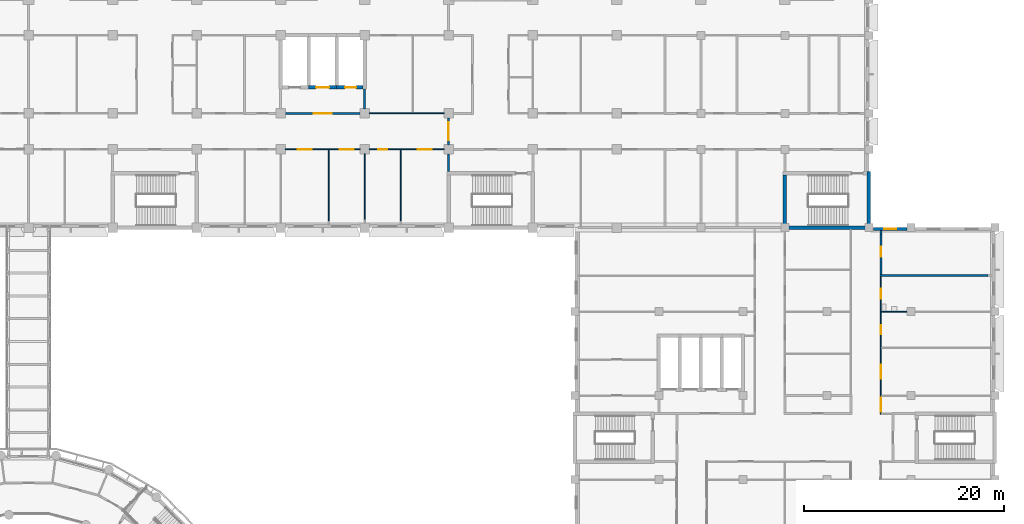
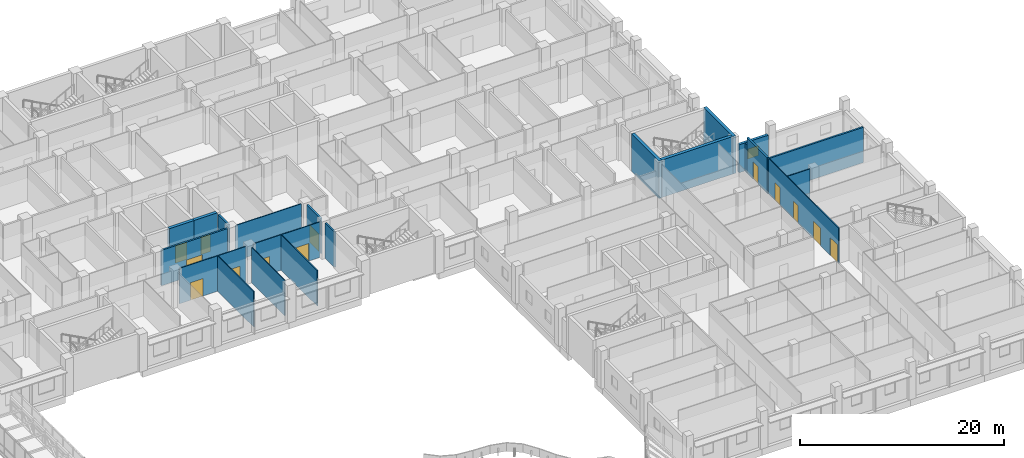
# One storey, part 85 of 136: 21 walls, 13 doors, 1 window, 14 openings.
"""IFC4 building model written with IfcOpenShell, lengths in metres."""

import ifcopenshell
import ifcopenshell.guid

model = None  # the IFC model being written
_history = None  # IfcOwnerHistory: only IFC2X3 demands one
_inside = {}  # id of a spatial element -> (the spatial element, [elements in it])
_under = {}  # id of a project, library or spatial element -> (it, [spatial elements below it])
_declared = {}  # id of a project -> (the project, [libraries it declares])
_typed = {}  # id of a type object -> (the type object, [elements of that type])
_made_of = {}  # id of a material, layer set ... -> (it, [elements and type objects made of it])


def new_model(schema):
    """Start an empty IFC model of exactly this schema.

    Asked for "IFC4X3", IfcOpenShell would pick the latest addendum, in which some entities
    have other attributes; the version numbers below select the first issue.
    IFC2X3 requires an IfcOwnerHistory on every rooted entity: one is made here for all.
    """
    global model, _history
    if schema == "IFC4X3":
        model = ifcopenshell.file(schema_version=(4, 3, 0, 0))
    else:
        model = ifcopenshell.file(schema=schema)
    _inside.clear()
    _under.clear()
    _declared.clear()
    _typed.clear()
    _made_of.clear()
    _history = None
    if model.schema == "IFC2X3":
        org = make("IfcOrganization", Name="unknown")
        user = make(
            "IfcPersonAndOrganization",
            ThePerson=make("IfcPerson", FamilyName="unknown"),
            TheOrganization=org,
        )
        app = make(
            "IfcApplication",
            ApplicationDeveloper=org,
            Version="unknown",
            ApplicationFullName="unknown",
            ApplicationIdentifier="unknown",
        )
        _history = make(
            "IfcOwnerHistory",
            OwningUser=user,
            OwningApplication=app,
            ChangeAction="ADDED",
            CreationDate=0,
        )
    return model


def make(cls, **values):
    """One entity of the class cls with the attributes given. An attribute that is None is left unset."""
    return model.create_entity(
        cls, **{name: value for name, value in values.items() if value is not None}
    )


def rooted(cls, **values):
    """An entity with a GlobalId (a new one), such as an element, a storey or a relation."""
    return make(cls, GlobalId=ifcopenshell.guid.new(), OwnerHistory=_history, **values)


def si_unit(unit_type, name, prefix=None):
    """IfcSIUnit, for example si_unit("LENGTHUNIT", "METRE", prefix="MILLI")."""
    return make("IfcSIUnit", UnitType=unit_type, Prefix=prefix, Name=name)


def assignment(units):
    """IfcUnitAssignment: the units of a project."""
    return None if units is None else make("IfcUnitAssignment", Units=units)


def point(xyz):
    """IfcCartesianPoint."""
    return None if xyz is None else make("IfcCartesianPoint", Coordinates=xyz)


def direction(xyz):
    """IfcDirection."""
    return None if xyz is None else make("IfcDirection", DirectionRatios=xyz)


def frame(location, z_axis=None, x_axis=None):
    """IfcAxis2Placement3D, a coordinate frame: its origin and axes. An axis left out is left unset."""
    return make(
        "IfcAxis2Placement3D",
        Location=point(location),
        Axis=direction(z_axis),
        RefDirection=direction(x_axis),
    )


def frame_2d(location, x_axis=None):
    """IfcAxis2Placement2D, a coordinate frame in the plane: its origin and x axis."""
    return make(
        "IfcAxis2Placement2D", Location=point(location), RefDirection=direction(x_axis)
    )


def origin():
    """The frame at (0, 0, 0) with its axes left unset."""
    return frame((0.0, 0.0, 0.0))


def place(relative_to, where):
    """IfcLocalPlacement: puts the frame where relative to a parent placement (None: the world)."""
    return make(
        "IfcLocalPlacement", PlacementRelTo=relative_to, RelativePlacement=where
    )


def context(
    kind, dimensions, precision=None, world=None, true_north=None, identifier=None
):
    """IfcGeometricRepresentationContext, for example the 3D "Model" context."""
    return make(
        "IfcGeometricRepresentationContext",
        ContextIdentifier=identifier,
        ContextType=kind,
        CoordinateSpaceDimension=dimensions,
        Precision=precision,
        WorldCoordinateSystem=world,
        TrueNorth=true_north,
    )


def subcontext(parent, identifier, kind, view, scale=None):
    """IfcGeometricRepresentationSubContext, for example "Body" below "Model"."""
    return make(
        "IfcGeometricRepresentationSubContext",
        ContextIdentifier=identifier,
        ContextType=kind,
        ParentContext=parent,
        TargetScale=scale,
        TargetView=view,
    )


def project(units=None, contexts=None):
    """IfcProject with its units and contexts."""
    return rooted(
        "IfcProject",
        Name="project",
        RepresentationContexts=contexts,
        UnitsInContext=assignment(units),
    )


def spatial(cls, under=None, at=None, **own):
    """A site, building, storey or space (cls), placed at a placement, below another one or the project."""
    s = rooted(cls, ObjectPlacement=at, **own)
    if under is not None:
        _under.setdefault(under.id(), (under, []))[1].append(s)
    return s


def profile(cls, at=None, kind="AREA", **sizes):
    """A parametric profile (cls). Its sizes go by their IFC names, for example OverallWidth=200.0."""
    return make(cls, ProfileType=kind, Position=at, **sizes)


def rectangle(**sizes):
    """IfcRectangleProfileDef."""
    return profile("IfcRectangleProfileDef", **sizes)


def extrude(swept, where, along, depth):
    """IfcExtrudedAreaSolid: the profile swept, set in the frame where, extruded along a direction by depth."""
    return make(
        "IfcExtrudedAreaSolid",
        SweptArea=swept,
        Position=where,
        ExtrudedDirection=direction(along),
        Depth=depth,
    )


def shape(context_of_items, identifier, shape_type, items):
    """IfcShapeRepresentation: the items that make up one representation, for example the "Body"."""
    return make(
        "IfcShapeRepresentation",
        ContextOfItems=context_of_items,
        RepresentationIdentifier=identifier,
        RepresentationType=shape_type,
        Items=items,
    )


def material(Name=None, Category=None):
    """IfcMaterial."""
    return make("IfcMaterial", Name=Name, Category=Category)


def layer(
    of_material, thickness, ventilated=None, Name=None, Category=None, Priority=None
):
    """IfcMaterialLayer: one layer of a wall or slab, of a material (None: an air gap)."""
    return make(
        "IfcMaterialLayer",
        Material=of_material,
        LayerThickness=thickness,
        IsVentilated=ventilated,
        Name=Name,
        Category=Category,
        Priority=Priority,
    )


def layer_set(layers, Name=None):
    """IfcMaterialLayerSet."""
    return make("IfcMaterialLayerSet", MaterialLayers=layers, LayerSetName=Name)


def made_of(thing, what):
    """Note that an element or type object is made of a material, layer set ...; save() writes the relation."""
    if what is not None:
        _made_of.setdefault(what.id(), (what, []))[1].append(thing)
    return thing


def type_object(cls, material=None, **own):
    """A type object (cls), such as IfcWallType, which elements share."""
    return made_of(rooted(cls, **own), material)


def element(
    cls,
    number,
    at=None,
    inside=None,
    cuts=None,
    type_object=None,
    material=None,
    context=None,
    identifier="Body",
    shape_type=None,
    held_by="IfcProductDefinitionShape",
    body=None,
    shapes=None,
    **own,
):
    """One element of the class cls, such as IfcWall. Its Tag is "e" and its number.

    at: its placement. inside: the storey or other place that contains it. cuts: it is an
    opening in that element (IfcRelVoidsElement). A single representation is given by context,
    identifier, shape_type and body (its items); several are given by shapes. held_by: the class
    of the entity that holds the representations. save() writes the other relations.
    """
    e = rooted(cls, Tag="e%d" % number, ObjectPlacement=at, **own)
    if body is not None:
        shapes = [shape(context, identifier, shape_type, body)]
    if shapes is not None:
        e.Representation = make(held_by, Representations=shapes)
    if inside is not None:
        _inside.setdefault(inside.id(), (inside, []))[1].append(e)
    if cuts is not None:
        rooted(
            "IfcRelVoidsElement", RelatingBuildingElement=cuts, RelatedOpeningElement=e
        )
    if type_object is not None:
        _typed.setdefault(type_object.id(), (type_object, []))[1].append(e)
    return made_of(e, material)


def fill(opening, filler):
    """IfcRelFillsElement: the door or window that sits in an opening."""
    return rooted(
        "IfcRelFillsElement",
        RelatingOpeningElement=opening,
        RelatedBuildingElement=filler,
    )


def aggregate(whole, parts):
    """IfcRelAggregates: a whole, such as a stair, and the parts it consists of."""
    return rooted("IfcRelAggregates", RelatingObject=whole, RelatedObjects=parts)


def save(model, path):
    """Write the relations noted so far, then the file.

    IfcRelAggregates (storeys below a building ...), IfcRelContainedInSpatialStructure (elements
    in a storey), IfcRelDefinesByType, IfcRelAssociatesMaterial and IfcRelDeclares: one each for
    every whole, place, type object, material and project.
    """
    for whole, parts in _under.values():
        aggregate(whole, parts)
    for where, things in _inside.values():
        rooted(
            "IfcRelContainedInSpatialStructure",
            RelatedElements=things,
            RelatingStructure=where,
        )
    for kind, things in _typed.values():
        rooted("IfcRelDefinesByType", RelatedObjects=things, RelatingType=kind)
    for what, things in _made_of.values():
        rooted("IfcRelAssociatesMaterial", RelatedObjects=things, RelatingMaterial=what)
    for by, libraries in _declared.values():
        rooted("IfcRelDeclares", RelatingContext=by, RelatedDefinitions=libraries)
    model.write(path)


model = new_model("IFC4")

# Units and contexts
model_context = context("Model", 3, precision=1e-05, world=origin(), true_north=direction((0.0, 1.0)))
body_context = subcontext(model_context, "Body", "Model", "MODEL_VIEW")
ifc_project = project(units=[si_unit("LENGTHUNIT", "METRE"), si_unit("AREAUNIT", "SQUARE_METRE"), si_unit("VOLUMEUNIT", "CUBIC_METRE"), si_unit("PLANEANGLEUNIT", "RADIAN"), si_unit("MASSUNIT", "GRAM", prefix="KILO")], contexts=[model_context])

# Site, building, storey
site_placement = place(None, origin())
site = spatial("IfcSite", under=ifc_project, at=site_placement, CompositionType="ELEMENT")
building_placement = place(site_placement, origin())
building = spatial("IfcBuilding", under=site, at=building_placement, Name="Bougainvillea Quay General Hospital", CompositionType="ELEMENT")
storey_placement = place(building_placement, frame((0.0, 0.0, 5.39990234375)))
storey = spatial("IfcBuildingStorey", under=building, at=storey_placement, Name="L01", CompositionType="ELEMENT", Elevation=5.39990234375)

# Wall, opening, window
ifc_material_1 = material(Name="Pale stone rainscreen cladding on insulated masonry backing, pale stone", Category="masonry")
ifc_layer_1 = layer(ifc_material_1, 0.300048828125)
ifc_layer_set_1 = layer_set([ifc_layer_1], Name="Pale stone rainscreen cladding on insulated masonry backing, pale stone")
wall_type_1 = type_object("IfcWallType", Name="External wall pale stone rainscreen 300", PredefinedType="STANDARD", material=ifc_layer_set_1)
wall_1_placement = place(storey_placement, frame((197.0, 117.449951171875, 0.0), z_axis=(0.0, 0.0, 1.0), x_axis=(-1.0, 0.0, 0.0)))
wall_1 = element("IfcWall", 1, at=wall_1_placement, inside=storey, type_object=wall_type_1, Name="External wall wall/V3/L01/p0/03b", PredefinedType="STANDARD", context=body_context, shape_type="SweptSolid", body=[
    extrude(rectangle(XDim=3.35009765625, YDim=0.300048828125, at=frame_2d((1.675048828125, 0.0))), origin(), (0.0, 0.0, 1.0), 3.35009765625),
])
opening_1_placement = place(wall_1_placement, frame((1.074951171875, 0.0, 1.199951171875)))
opening_1 = element("IfcOpeningElement", 2, at=opening_1_placement, cuts=wall_1, Name="Opening W2", PredefinedType="OPENING", context=body_context, shape_type="SweptSolid", body=[
    extrude(rectangle(XDim=1.199951171875, YDim=1.199951171875, at=frame_2d((0.60009765625, 0.60009765625))), frame((0.0, 0.159912109375, 0.0), z_axis=(0.0, -1.0, 0.0), x_axis=(1.0, 0.0, 0.0)), (0.0, 0.0, 1.0), 0.320068359375),
])
ifc_material_2 = material(Name="Aluminium window frame with low-e double glazed unit", Category="aluminium")
window_type = type_object("IfcWindowType", Name="Window W2 1200x1200", PartitioningType="SINGLE_PANEL", PredefinedType="WINDOW", material=ifc_material_2)
window_placement = place(opening_1_placement, origin())
window = element("IfcWindow", 3, at=window_placement, inside=storey, type_object=window_type, Name="Window W2 1", OverallHeight=1.199951171875, OverallWidth=1.199951171875, PartitioningType="SINGLE_PANEL", PredefinedType="WINDOW", context=body_context, shape_type="SweptSolid", body=[
    extrude(rectangle(XDim=1.199951171875, YDim=1.199951171875, at=frame_2d((0.60009765625, 0.60009765625))), frame((0.0, 0.030029296875, 0.0), z_axis=(0.0, -1.0, 0.0), x_axis=(1.0, 0.0, 0.0)), (0.0, 0.0, 1.0), 0.06005859375),
])
fill(opening_1, window)

# Wall, openings, doors
ifc_material_3 = material(Name="Gypsum board partition on steel studs", Category="steel")
ifc_layer_2 = layer(ifc_material_3, 0.10009765625)
ifc_layer_set_2 = layer_set([ifc_layer_2], Name="Gypsum board partition on steel studs")
wall_type_2 = type_object("IfcWallType", Name="Partition 100 Gypsum board partition", PredefinedType="PARTITIONING", material=ifc_layer_set_2)
wall_2_placement = place(storey_placement, frame((150.75, 125.39990234375, 0.0), z_axis=(0.0, 0.0, 1.0), x_axis=(-1.0, 0.0, 0.0)))
wall_2 = element("IfcWall", 4, at=wall_2_placement, inside=storey, type_object=wall_type_2, Name="Partition 100 mm", PredefinedType="PARTITIONING", context=body_context, shape_type="SweptSolid", body=[
    extrude(rectangle(XDim=7.5, YDim=0.10009765625, at=frame_2d((3.75, 0.0))), origin(), (0.0, 0.0, 1.0), 4.25),
])
opening_2_placement = place(wall_2_placement, frame((5.699951171875, 0.0, 0.0)))
opening_2 = element("IfcOpeningElement", 5, at=opening_2_placement, cuts=wall_2, Name="Opening L01.161", PredefinedType="OPENING", context=body_context, shape_type="SweptSolid", body=[
    extrude(rectangle(XDim=0.89990234375, YDim=2.10009765625, at=frame_2d((0.449951171875, 1.050048828125))), frame((0.0, 0.06005859375, 0.0), z_axis=(0.0, -1.0, 0.0), x_axis=(1.0, 0.0, 0.0)), (0.0, 0.0, 1.0), 0.1201171875),
])
opening_3_placement = place(wall_2_placement, frame((1.25, 0.0, 0.0)))
opening_3 = element("IfcOpeningElement", 6, at=opening_3_placement, cuts=wall_2, Name="Opening L01.162", PredefinedType="OPENING", context=body_context, shape_type="SweptSolid", body=[
    extrude(rectangle(XDim=1.39990234375, YDim=2.10009765625, at=frame_2d((0.699951171875, 1.050048828125))), frame((0.0, 0.06005859375, 0.0), z_axis=(0.0, -1.0, 0.0), x_axis=(1.0, 0.0, 0.0)), (0.0, 0.0, 1.0), 0.1201171875),
])
ifc_material_4 = material(Name="Solid-core timber door leaves in steel frame", Category="steel")
door_type_1 = type_object("IfcDoorType", Name="Bed door pair 1400x2100", OperationType="DOUBLE_DOOR_SINGLE_SWING", PredefinedType="DOOR", material=ifc_material_4)
door_1_placement = place(opening_3_placement, origin())
door_1 = element("IfcDoor", 7, at=door_1_placement, inside=storey, type_object=door_type_1, Name="DT09 L01.162", OperationType="DOUBLE_DOOR_SINGLE_SWING", OverallHeight=2.10009765625, OverallWidth=1.39990234375, PredefinedType="DOOR", context=body_context, shape_type="SweptSolid", body=[
    extrude(rectangle(XDim=1.39990234375, YDim=2.10009765625, at=frame_2d((0.699951171875, 1.050048828125))), frame((0.0, 0.02490234375, 0.0), z_axis=(0.0, -1.0, 0.0), x_axis=(1.0, 0.0, 0.0)), (0.0, 0.0, 1.0), 0.050048828125),
])
fill(opening_3, door_1)
ifc_material_5 = material(Name="Solid-core timber door leaf in steel frame", Category="steel")
door_type_2 = type_object("IfcDoorType", Name="Single leaf door 900x2100", OperationType="NOTDEFINED", PredefinedType="DOOR", material=ifc_material_5)
door_2_placement = place(opening_2_placement, origin())
door_2 = element("IfcDoor", 8, at=door_2_placement, inside=storey, type_object=door_type_2, Name="DT07 L01.161", OperationType="SINGLE_SWING_RIGHT", OverallHeight=2.10009765625, OverallWidth=0.89990234375, PredefinedType="DOOR", context=body_context, shape_type="SweptSolid", body=[
    extrude(rectangle(XDim=0.89990234375, YDim=2.10009765625, at=frame_2d((0.449951171875, 1.050048828125))), frame((0.0, 0.02490234375, 0.0), z_axis=(0.0, -1.0, 0.0), x_axis=(1.0, 0.0, 0.0)), (0.0, 0.0, 1.0), 0.050048828125),
])
fill(opening_2, door_2)

wall_3_placement = place(storey_placement, frame((142.35009765625, 125.39990234375, 0.0), z_axis=(0.0, 0.0, 1.0), x_axis=(-1.0, 0.0, 0.0)))
wall_3 = element("IfcWall", 9, at=wall_3_placement, inside=storey, type_object=wall_type_2, Name="Partition 100 mm", PredefinedType="PARTITIONING", context=body_context, shape_type="SweptSolid", body=[
    extrude(rectangle(XDim=7.5, YDim=0.10009765625, at=frame_2d((3.75, 0.0))), origin(), (0.0, 0.0, 1.0), 4.25),
])
opening_4_placement = place(wall_3_placement, frame((4.85009765625, 0.0, 0.0)))
opening_4 = element("IfcOpeningElement", 10, at=opening_4_placement, cuts=wall_3, Name="Opening L01.159", PredefinedType="OPENING", context=body_context, shape_type="SweptSolid", body=[
    extrude(rectangle(XDim=1.39990234375, YDim=2.10009765625, at=frame_2d((0.699951171875, 1.050048828125))), frame((0.0, 0.06005859375, 0.0), z_axis=(0.0, -1.0, 0.0), x_axis=(1.0, 0.0, 0.0)), (0.0, 0.0, 1.0), 0.1201171875),
])
opening_5_placement = place(wall_3_placement, frame((0.64990234375, 0.0, 0.0)))
opening_5 = element("IfcOpeningElement", 11, at=opening_5_placement, cuts=wall_3, Name="Opening L01.160", PredefinedType="OPENING", context=body_context, shape_type="SweptSolid", body=[
    extrude(rectangle(XDim=1.39990234375, YDim=2.10009765625, at=frame_2d((0.699951171875, 1.050048828125))), frame((0.0, 0.06005859375, 0.0), z_axis=(0.0, -1.0, 0.0), x_axis=(1.0, 0.0, 0.0)), (0.0, 0.0, 1.0), 0.1201171875),
])
door_3_placement = place(opening_4_placement, origin())
door_3 = element("IfcDoor", 12, at=door_3_placement, inside=storey, type_object=door_type_1, Name="DT09 L01.159", OperationType="DOUBLE_DOOR_SINGLE_SWING", OverallHeight=2.10009765625, OverallWidth=1.39990234375, PredefinedType="DOOR", context=body_context, shape_type="SweptSolid", body=[
    extrude(rectangle(XDim=1.39990234375, YDim=2.10009765625, at=frame_2d((0.699951171875, 1.050048828125))), frame((0.0, 0.02490234375, 0.0), z_axis=(0.0, -1.0, 0.0), x_axis=(1.0, 0.0, 0.0)), (0.0, 0.0, 1.0), 0.050048828125),
])
fill(opening_4, door_3)
door_4_placement = place(opening_5_placement, origin())
door_4 = element("IfcDoor", 13, at=door_4_placement, inside=storey, type_object=door_type_1, Name="DT09 L01.160", OperationType="DOUBLE_DOOR_SINGLE_SWING", OverallHeight=2.10009765625, OverallWidth=1.39990234375, PredefinedType="DOOR", context=body_context, shape_type="SweptSolid", body=[
    extrude(rectangle(XDim=1.39990234375, YDim=2.10009765625, at=frame_2d((0.699951171875, 1.050048828125))), frame((0.0, 0.02490234375, 0.0), z_axis=(0.0, -1.0, 0.0), x_axis=(1.0, 0.0, 0.0)), (0.0, 0.0, 1.0), 0.050048828125),
])
fill(opening_5, door_4)

wall_4_placement = place(storey_placement, frame((194.39990234375, 112.699951171875, 0.0), z_axis=(0.0, 0.0, 1.0), x_axis=(0.0, -1.0, 0.0)))
wall_4 = element("IfcWall", 14, at=wall_4_placement, inside=storey, type_object=wall_type_2, Name="Partition 100 mm", PredefinedType="PARTITIONING", context=body_context, shape_type="SweptSolid", body=[
    extrude(rectangle(XDim=13.75, YDim=0.10009765625, at=frame_2d((6.875, 0.0))), origin(), (0.0, 0.0, 1.0), 4.25),
])
opening_6_placement = place(wall_4_placement, frame((12.10009765625, 0.0, 0.0)))
opening_6 = element("IfcOpeningElement", 15, at=opening_6_placement, cuts=wall_4, Name="Opening L01.125", PredefinedType="OPENING", context=body_context, shape_type="SweptSolid", body=[
    extrude(rectangle(XDim=1.39990234375, YDim=2.10009765625, at=frame_2d((0.699951171875, 1.050048828125))), frame((0.0, 0.06005859375, 0.0), z_axis=(0.0, -1.0, 0.0), x_axis=(1.0, 0.0, 0.0)), (0.0, 0.0, 1.0), 0.1201171875),
])
opening_7_placement = place(wall_4_placement, frame((8.800048828125, 0.0, 0.0)))
opening_7 = element("IfcOpeningElement", 16, at=opening_7_placement, cuts=wall_4, Name="Opening L01.126", PredefinedType="OPENING", context=body_context, shape_type="SweptSolid", body=[
    extrude(rectangle(XDim=1.39990234375, YDim=2.10009765625, at=frame_2d((0.699951171875, 1.050048828125))), frame((0.0, 0.06005859375, 0.0), z_axis=(0.0, -1.0, 0.0), x_axis=(1.0, 0.0, 0.0)), (0.0, 0.0, 1.0), 0.1201171875),
])
opening_8_placement = place(wall_4_placement, frame((4.85009765625, 0.0, 0.0)))
opening_8 = element("IfcOpeningElement", 17, at=opening_8_placement, cuts=wall_4, Name="Opening L01.127", PredefinedType="OPENING", context=body_context, shape_type="SweptSolid", body=[
    extrude(rectangle(XDim=0.89990234375, YDim=2.10009765625, at=frame_2d((0.449951171875, 1.050048828125))), frame((0.0, 0.06005859375, 0.0), z_axis=(0.0, -1.0, 0.0), x_axis=(1.0, 0.0, 0.0)), (0.0, 0.0, 1.0), 0.1201171875),
])
opening_9_placement = place(wall_4_placement, frame((1.199951171875, 0.0, 0.0)))
opening_9 = element("IfcOpeningElement", 18, at=opening_9_placement, cuts=wall_4, Name="Opening L01.128", PredefinedType="OPENING", context=body_context, shape_type="SweptSolid", body=[
    extrude(rectangle(XDim=1.0, YDim=2.10009765625, at=frame_2d((0.5, 1.050048828125))), frame((0.0, 0.06005859375, 0.0), z_axis=(0.0, -1.0, 0.0), x_axis=(1.0, 0.0, 0.0)), (0.0, 0.0, 1.0), 0.1201171875),
])
door_5_placement = place(opening_6_placement, origin())
door_5 = element("IfcDoor", 19, at=door_5_placement, inside=storey, type_object=door_type_1, Name="DT09 L01.125", OperationType="DOUBLE_DOOR_SINGLE_SWING", OverallHeight=2.10009765625, OverallWidth=1.39990234375, PredefinedType="DOOR", context=body_context, shape_type="SweptSolid", body=[
    extrude(rectangle(XDim=1.39990234375, YDim=2.10009765625, at=frame_2d((0.699951171875, 1.050048828125))), frame((0.0, 0.02490234375, 0.0), z_axis=(0.0, -1.0, 0.0), x_axis=(1.0, 0.0, 0.0)), (0.0, 0.0, 1.0), 0.050048828125),
])
fill(opening_6, door_5)
door_6_placement = place(opening_7_placement, origin())
door_6 = element("IfcDoor", 20, at=door_6_placement, inside=storey, type_object=door_type_1, Name="DT09 L01.126", OperationType="DOUBLE_DOOR_SINGLE_SWING", OverallHeight=2.10009765625, OverallWidth=1.39990234375, PredefinedType="DOOR", context=body_context, shape_type="SweptSolid", body=[
    extrude(rectangle(XDim=1.39990234375, YDim=2.10009765625, at=frame_2d((0.699951171875, 1.050048828125))), frame((0.0, 0.02490234375, 0.0), z_axis=(0.0, -1.0, 0.0), x_axis=(1.0, 0.0, 0.0)), (0.0, 0.0, 1.0), 0.050048828125),
])
fill(opening_7, door_6)
door_type_3 = type_object("IfcDoorType", Name="Single leaf door 1000x2100", OperationType="NOTDEFINED", PredefinedType="DOOR", material=ifc_material_5)
door_7_placement = place(opening_9_placement, origin())
door_7 = element("IfcDoor", 21, at=door_7_placement, inside=storey, type_object=door_type_3, Name="DT06 L01.128", OperationType="SINGLE_SWING_LEFT", OverallHeight=2.10009765625, OverallWidth=1.0, PredefinedType="DOOR", context=body_context, shape_type="SweptSolid", body=[
    extrude(rectangle(XDim=1.0, YDim=2.10009765625, at=frame_2d((0.5, 1.050048828125))), frame((0.0, 0.02490234375, 0.0), z_axis=(0.0, -1.0, 0.0), x_axis=(1.0, 0.0, 0.0)), (0.0, 0.0, 1.0), 0.050048828125),
])
fill(opening_9, door_7)
door_8_placement = place(opening_8_placement, origin())
door_8 = element("IfcDoor", 22, at=door_8_placement, inside=storey, type_object=door_type_2, Name="DT07 L01.127", OperationType="SINGLE_SWING_LEFT", OverallHeight=2.10009765625, OverallWidth=0.89990234375, PredefinedType="DOOR", context=body_context, shape_type="SweptSolid", body=[
    extrude(rectangle(XDim=0.89990234375, YDim=2.10009765625, at=frame_2d((0.449951171875, 1.050048828125))), frame((0.0, 0.02490234375, 0.0), z_axis=(0.0, -1.0, 0.0), x_axis=(1.0, 0.0, 0.0)), (0.0, 0.0, 1.0), 0.050048828125),
])
fill(opening_8, door_8)

# Walls
wall_5_placement = place(storey_placement, frame((194.449951171875, 109.199951171875, 0.0), z_axis=(0.0, 0.0, 1.0), x_axis=(1.0, 0.0, 0.0)))
element("IfcWall", 23, at=wall_5_placement, inside=storey, type_object=wall_type_2, Name="Partition 100 mm", PredefinedType="PARTITIONING", context=body_context, shape_type="SweptSolid", body=[
    extrude(rectangle(XDim=2.550048828125, YDim=0.10009765625, at=frame_2d((1.27490234375, 0.0))), origin(), (0.0, 0.0, 1.0), 4.25),
])
wall_6_placement = place(storey_placement, frame((143.25, 129.0, 0.0), z_axis=(0.0, 0.0, 1.0), x_axis=(1.0, 0.0, 0.0)))
element("IfcWall", 24, at=wall_6_placement, inside=storey, type_object=wall_type_2, Name="Partition 100 mm", PredefinedType="PARTITIONING", context=body_context, shape_type="SweptSolid", body=[
    extrude(rectangle(XDim=7.5, YDim=0.10009765625, at=frame_2d((3.75, 0.0))), origin(), (0.0, 0.0, 1.0), 4.25),
])
wall_7_placement = place(storey_placement, frame((139.199951171875, 118.25, 0.0), z_axis=(0.0, 0.0, 1.0), x_axis=(0.0, 1.0, 0.0)))
element("IfcWall", 25, at=wall_7_placement, inside=storey, type_object=wall_type_2, Name="Partition 100 mm", PredefinedType="PARTITIONING", context=body_context, shape_type="SweptSolid", body=[
    extrude(rectangle(XDim=7.10009765625, YDim=0.10009765625, at=frame_2d((3.550048828125, 0.0))), origin(), (0.0, 0.0, 1.0), 4.25),
])
wall_8_placement = place(storey_placement, frame((142.800048828125, 118.39990234375, 0.0), z_axis=(0.0, 0.0, 1.0), x_axis=(0.0, 1.0, 0.0)))
element("IfcWall", 26, at=wall_8_placement, inside=storey, type_object=wall_type_2, Name="Partition 100 mm", PredefinedType="PARTITIONING", context=body_context, shape_type="SweptSolid", body=[
    extrude(rectangle(XDim=6.550048828125, YDim=0.10009765625, at=frame_2d((3.27490234375, 0.0))), origin(), (0.0, 0.0, 1.0), 4.25),
])
wall_9_placement = place(storey_placement, frame((146.39990234375, 118.25, 0.0), z_axis=(0.0, 0.0, 1.0), x_axis=(0.0, 1.0, 0.0)))
element("IfcWall", 27, at=wall_9_placement, inside=storey, type_object=wall_type_2, Name="Partition 100 mm", PredefinedType="PARTITIONING", context=body_context, shape_type="SweptSolid", body=[
    extrude(rectangle(XDim=7.10009765625, YDim=0.10009765625, at=frame_2d((3.550048828125, 0.0))), origin(), (0.0, 0.0, 1.0), 4.25),
])

# Wall, opening, door
ifc_material_6 = material(Name="Fire-rated autoclaved aerated block wall, plastered")
ifc_layer_3 = layer(ifc_material_6, 0.199951171875)
ifc_layer_set_3 = layer_set([ifc_layer_3], Name="Fire-rated autoclaved aerated block wall, plastered")
wall_type_3 = type_object("IfcWallType", Name="Partition 200 Fire-rated autoclaved aerated block wall EI 120", PredefinedType="SOLIDWALL", material=ifc_layer_set_3)
wall_10_placement = place(storey_placement, frame((134.85009765625, 129.0, 0.0), z_axis=(0.0, 0.0, 1.0), x_axis=(1.0, 0.0, 0.0)))
wall_10 = element("IfcWall", 28, at=wall_10_placement, inside=storey, type_object=wall_type_3, Name="Partition 200 mm EI 120", PredefinedType="SOLIDWALL", context=body_context, shape_type="SweptSolid", body=[
    extrude(rectangle(XDim=7.5, YDim=0.199951171875, at=frame_2d((3.75, 0.0))), origin(), (0.0, 0.0, 1.0), 4.25),
])
opening_10_placement = place(wall_10_placement, frame((2.85009765625, 0.0, 0.0)))
opening_10 = element("IfcOpeningElement", 29, at=opening_10_placement, cuts=wall_10, Name="Opening L01.050", PredefinedType="OPENING", context=body_context, shape_type="SweptSolid", body=[
    extrude(rectangle(XDim=1.800048828125, YDim=2.10009765625, at=frame_2d((0.89990234375, 1.050048828125))), frame((0.0, 0.10986328125, 0.0), z_axis=(0.0, -1.0, 0.0), x_axis=(1.0, 0.0, 0.0)), (0.0, 0.0, 1.0), 0.219970703125),
])
ifc_material_7 = material(Name="Steel fire door leaves in steel frame", Category="steel")
door_type_4 = type_object("IfcDoorType", Name="Steel double leaf door 1800x2100 FD60", OperationType="DOUBLE_DOOR_SINGLE_SWING", PredefinedType="DOOR", material=ifc_material_7)
door_9_placement = place(opening_10_placement, origin())
door_9 = element("IfcDoor", 30, at=door_9_placement, inside=storey, type_object=door_type_4, Name="DT05 L01.050", OperationType="DOUBLE_DOOR_SINGLE_SWING", OverallHeight=2.10009765625, OverallWidth=1.800048828125, PredefinedType="DOOR", context=body_context, shape_type="SweptSolid", body=[
    extrude(rectangle(XDim=1.800048828125, YDim=2.10009765625, at=frame_2d((0.89990234375, 1.050048828125))), frame((0.0, 0.02490234375, 0.0), z_axis=(0.0, -1.0, 0.0), x_axis=(1.0, 0.0, 0.0)), (0.0, 0.0, 1.0), 0.050048828125),
])
fill(opening_10, door_9)

# Wall
wall_11_placement = place(storey_placement, frame((151.199951171875, 123.175048828125, 0.0), z_axis=(0.0, 0.0, 1.0), x_axis=(0.0, 1.0, 0.0)))
element("IfcWall", 31, at=wall_11_placement, inside=storey, type_object=wall_type_3, Name="Partition 200 mm EI 120", PredefinedType="SOLIDWALL", context=body_context, shape_type="SweptSolid", body=[
    extrude(rectangle(XDim=1.77490234375, YDim=0.199951171875, at=frame_2d((0.887451171875, 0.0))), origin(), (0.0, 0.0, 1.0), 4.25),
])

# Wall, opening, door
wall_12_placement = place(storey_placement, frame((151.199951171875, 125.85009765625, 0.0), z_axis=(0.0, 0.0, 1.0), x_axis=(0.0, 1.0, 0.0)))
wall_12 = element("IfcWall", 32, at=wall_12_placement, inside=storey, type_object=wall_type_3, Name="Partition 200 mm EI 120", PredefinedType="SOLIDWALL", context=body_context, shape_type="SweptSolid", body=[
    extrude(rectangle(XDim=2.699951171875, YDim=0.199951171875, at=frame_2d((1.35009765625, 0.0))), origin(), (0.0, 0.0, 1.0), 4.25),
])
opening_11_placement = place(wall_12_placement, frame((0.449951171875, 0.0, 0.0)))
opening_11 = element("IfcOpeningElement", 33, at=opening_11_placement, cuts=wall_12, Name="Opening L01.017", PredefinedType="OPENING", context=body_context, shape_type="SweptSolid", body=[
    extrude(rectangle(XDim=1.800048828125, YDim=2.10009765625, at=frame_2d((0.89990234375, 1.050048828125))), frame((0.0, 0.10986328125, 0.0), z_axis=(0.0, -1.0, 0.0), x_axis=(1.0, 0.0, 0.0)), (0.0, 0.0, 1.0), 0.219970703125),
])
door_type_5 = type_object("IfcDoorType", Name="Steel double leaf door 1800x2100 FD90", OperationType="DOUBLE_DOOR_SINGLE_SWING", PredefinedType="DOOR", material=ifc_material_7)
door_10_placement = place(opening_11_placement, origin())
door_10 = element("IfcDoor", 34, at=door_10_placement, inside=storey, type_object=door_type_5, Name="DT03 L01.017", OperationType="DOUBLE_DOOR_SINGLE_SWING", OverallHeight=2.10009765625, OverallWidth=1.800048828125, PredefinedType="DOOR", context=body_context, shape_type="SweptSolid", body=[
    extrude(rectangle(XDim=1.800048828125, YDim=2.10009765625, at=frame_2d((0.89990234375, 1.050048828125))), frame((0.0, 0.02490234375, 0.0), z_axis=(0.0, -1.0, 0.0), x_axis=(1.0, 0.0, 0.0)), (0.0, 0.0, 1.0), 0.050048828125),
])
fill(opening_11, door_10)

# Walls
wall_13_placement = place(storey_placement, frame((142.800048828125, 129.449951171875, 0.0), z_axis=(0.0, 0.0, 1.0), x_axis=(0.0, 1.0, 0.0)))
element("IfcWall", 35, at=wall_13_placement, inside=storey, type_object=wall_type_3, Name="Partition 200 mm EI 120", PredefinedType="SOLIDWALL", context=body_context, shape_type="SweptSolid", body=[
    extrude(rectangle(XDim=1.97509765625, YDim=0.199951171875, at=frame_2d((0.987548828125, 0.0))), origin(), (0.0, 0.0, 1.0), 4.25),
])
ifc_layer_4 = layer(ifc_material_6, 0.199951171875)
ifc_layer_set_4 = layer_set([ifc_layer_4], Name="Fire-rated autoclaved aerated block wall, plastered")
wall_type_4 = type_object("IfcWallType", Name="Partition 200 Fire-rated autoclaved aerated block wall EI 60", PredefinedType="SOLIDWALL", material=ifc_layer_set_4)
wall_14_placement = place(storey_placement, frame((194.300048828125, 112.800048828125, 0.0), z_axis=(0.0, 0.0, 1.0), x_axis=(1.0, 0.0, 0.0)))
element("IfcWall", 36, at=wall_14_placement, inside=storey, type_object=wall_type_4, Name="Partition 200 mm EI 60", PredefinedType="SOLIDWALL", context=body_context, shape_type="SweptSolid", body=[
    extrude(rectangle(XDim=10.800048828125, YDim=0.199951171875, at=frame_2d((5.39990234375, 0.0))), origin(), (0.0, 0.0, 1.0), 4.25),
])

# Wall, opening, door
wall_15_placement = place(storey_placement, frame((194.39990234375, 112.89990234375, 0.0), z_axis=(0.0, 0.0, 1.0), x_axis=(0.0, 1.0, 0.0)))
wall_15 = element("IfcWall", 37, at=wall_15_placement, inside=storey, type_object=wall_type_4, Name="Partition 200 mm EI 60", PredefinedType="SOLIDWALL", context=body_context, shape_type="SweptSolid", body=[
    extrude(rectangle(XDim=4.0, YDim=0.199951171875, at=frame_2d((2.0, 0.0))), origin(), (0.0, 0.0, 1.0), 4.25),
])
opening_12_placement = place(wall_15_placement, frame((1.800048828125, 0.0, 0.0)))
opening_12 = element("IfcOpeningElement", 38, at=opening_12_placement, cuts=wall_15, Name="Opening L01.129", PredefinedType="OPENING", context=body_context, shape_type="SweptSolid", body=[
    extrude(rectangle(XDim=1.0, YDim=2.10009765625, at=frame_2d((0.5, 1.050048828125))), frame((0.0, 0.10986328125, 0.0), z_axis=(0.0, -1.0, 0.0), x_axis=(1.0, 0.0, 0.0)), (0.0, 0.0, 1.0), 0.219970703125),
])
ifc_material_8 = material(Name="Steel fire door leaf in steel frame", Category="steel")
door_type_6 = type_object("IfcDoorType", Name="Steel single leaf door 1000x2100 FD60", OperationType="NOTDEFINED", PredefinedType="DOOR", material=ifc_material_8)
door_11_placement = place(opening_12_placement, frame((1.0, 0.0, 0.0), z_axis=(0.0, 0.0, 1.0), x_axis=(-1.0, 0.0, 0.0)))
door_11 = element("IfcDoor", 39, at=door_11_placement, inside=storey, type_object=door_type_6, Name="DT10 L01.129", OperationType="SINGLE_SWING_LEFT", OverallHeight=2.10009765625, OverallWidth=1.0, PredefinedType="DOOR", context=body_context, shape_type="SweptSolid", body=[
    extrude(rectangle(XDim=1.0, YDim=2.10009765625, at=frame_2d((0.5, 1.050048828125))), frame((0.0, 0.02490234375, 0.0), z_axis=(0.0, -1.0, 0.0), x_axis=(1.0, 0.0, 0.0)), (0.0, 0.0, 1.0), 0.050048828125),
])
fill(opening_12, door_11)

# Wall
wall_16_placement = place(storey_placement, frame((194.39990234375, 116.89990234375, 0.0), z_axis=(0.0, 0.0, 1.0), x_axis=(0.0, 1.0, 0.0)))
element("IfcWall", 40, at=wall_16_placement, inside=storey, type_object=wall_type_4, Name="Partition 200 mm EI 60", PredefinedType="SOLIDWALL", context=body_context, shape_type="SweptSolid", body=[
    extrude(rectangle(XDim=0.400146484375, YDim=0.199951171875, at=frame_2d((0.2001953125, 0.0))), origin(), (0.0, 0.0, 1.0), 3.330078125),
])

# Wall, opening, door
ifc_material_9 = material(Name="Concrete C40", Category="concrete")
ifc_layer_5 = layer(ifc_material_9, 0.35009765625)
ifc_layer_set_5 = layer_set([ifc_layer_5], Name="Concrete C40")
wall_type_5 = type_object("IfcWallType", Name="RC SHEAR WALL 350 C40", PredefinedType="SHEAR", material=ifc_layer_set_5)
wall_17_placement = place(storey_placement, frame((137.199951171875, 131.60009765625, 0.0), z_axis=(0.0, 0.0, 1.0), x_axis=(1.0, 0.0, 0.0)))
wall_17 = element("IfcWall", 41, at=wall_17_placement, inside=storey, type_object=wall_type_5, Name="Shear wall L01", PredefinedType="SHEAR", context=body_context, shape_type="SweptSolid", body=[
    extrude(rectangle(XDim=2.800048828125, YDim=0.35009765625, at=frame_2d((1.39990234375, 0.0))), origin(), (0.0, 0.0, 1.0), 4.5),
])
opening_13_placement = place(wall_17_placement, frame((0.75, 0.0, 0.0)))
opening_13 = element("IfcOpeningElement", 42, at=opening_13_placement, cuts=wall_17, Name="Opening LD-B2.2-L01", PredefinedType="OPENING", context=body_context, shape_type="SweptSolid", body=[
    extrude(rectangle(XDim=1.300048828125, YDim=2.10009765625, at=frame_2d((0.64990234375, 1.050048828125))), frame((0.0, 0.18505859375, 0.0), z_axis=(0.0, -1.0, 0.0), x_axis=(1.0, 0.0, 0.0)), (0.0, 0.0, 1.0), 0.3701171875),
])
ifc_material_10 = material(Name="Stainless steel centre-opening landing door", Category="steel")
door_type_7 = type_object("IfcDoorType", Name="Lift landing door 1300x2100 E 120", OperationType="DOUBLE_DOOR_SLIDING", PredefinedType="DOOR", material=ifc_material_10)
door_12_placement = place(opening_13_placement, origin())
door_12 = element("IfcDoor", 43, at=door_12_placement, inside=storey, type_object=door_type_7, Name="Lift landing door LB-B2-2 L01", OperationType="DOUBLE_DOOR_SLIDING", OverallHeight=2.10009765625, OverallWidth=1.300048828125, PredefinedType="DOOR", context=body_context, shape_type="SweptSolid", body=[
    extrude(rectangle(XDim=1.300048828125, YDim=2.10009765625, at=frame_2d((0.64990234375, 1.050048828125))), frame((0.0, 0.02490234375, 0.0), z_axis=(0.0, -1.0, 0.0), x_axis=(1.0, 0.0, 0.0)), (0.0, 0.0, 1.0), 0.050048828125),
])
fill(opening_13, door_12)

wall_18_placement = place(storey_placement, frame((140.0, 131.60009765625, 0.0), z_axis=(0.0, 0.0, 1.0), x_axis=(1.0, 0.0, 0.0)))
wall_18 = element("IfcWall", 44, at=wall_18_placement, inside=storey, type_object=wall_type_5, Name="Shear wall L01", PredefinedType="SHEAR", context=body_context, shape_type="SweptSolid", body=[
    extrude(rectangle(XDim=2.625, YDim=0.35009765625, at=frame_2d((1.3125, 0.0))), origin(), (0.0, 0.0, 1.0), 4.5),
])
opening_14_placement = place(wall_18_placement, frame((0.85009765625, 0.0, 0.0)))
opening_14 = element("IfcOpeningElement", 45, at=opening_14_placement, cuts=wall_18, Name="Opening LD-B2.3-L01", PredefinedType="OPENING", context=body_context, shape_type="SweptSolid", body=[
    extrude(rectangle(XDim=1.10009765625, YDim=2.10009765625, at=frame_2d((0.550048828125, 1.050048828125))), frame((0.0, 0.18505859375, 0.0), z_axis=(0.0, -1.0, 0.0), x_axis=(1.0, 0.0, 0.0)), (0.0, 0.0, 1.0), 0.3701171875),
])
door_type_8 = type_object("IfcDoorType", Name="Lift landing door 1100x2100 E 120", OperationType="DOUBLE_DOOR_SLIDING", PredefinedType="DOOR", material=ifc_material_10)
door_13_placement = place(opening_14_placement, origin())
door_13 = element("IfcDoor", 46, at=door_13_placement, inside=storey, type_object=door_type_8, Name="Lift landing door LB-B2-3 L01", OperationType="DOUBLE_DOOR_SLIDING", OverallHeight=2.10009765625, OverallWidth=1.10009765625, PredefinedType="DOOR", context=body_context, shape_type="SweptSolid", body=[
    extrude(rectangle(XDim=1.10009765625, YDim=2.10009765625, at=frame_2d((0.550048828125, 1.050048828125))), frame((0.0, 0.02490234375, 0.0), z_axis=(0.0, -1.0, 0.0), x_axis=(1.0, 0.0, 0.0)), (0.0, 0.0, 1.0), 0.050048828125),
])
fill(opening_14, door_13)

# Walls
wall_19_placement = place(storey_placement, frame((184.800048828125, 117.425048828125, 0.0), z_axis=(0.0, 0.0, 1.0), x_axis=(0.0, 1.0, 0.0)))
element("IfcWall", 47, at=wall_19_placement, inside=storey, type_object=wall_type_5, Name="Shear wall L01", PredefinedType="SHEAR", context=body_context, shape_type="SweptSolid", body=[
    extrude(rectangle(XDim=5.39990234375, YDim=0.35009765625, at=frame_2d((2.699951171875, 0.0))), origin(), (0.0, 0.0, 1.0), 4.5),
])
wall_20_placement = place(storey_placement, frame((184.97509765625, 117.60009765625, 0.0), z_axis=(0.0, 0.0, 1.0), x_axis=(1.0, 0.0, 0.0)))
element("IfcWall", 48, at=wall_20_placement, inside=storey, type_object=wall_type_5, Name="Shear wall L01", PredefinedType="SHEAR", context=body_context, shape_type="SweptSolid", body=[
    extrude(rectangle(XDim=8.0498046875, YDim=0.35009765625, at=frame_2d((4.02490234375, 0.0))), origin(), (0.0, 0.0, 1.0), 4.5),
])
wall_21_placement = place(storey_placement, frame((193.199951171875, 117.425048828125, 0.0), z_axis=(0.0, 0.0, 1.0), x_axis=(0.0, 1.0, 0.0)))
element("IfcWall", 49, at=wall_21_placement, inside=storey, type_object=wall_type_5, Name="Shear wall L01", PredefinedType="SHEAR", context=body_context, shape_type="SweptSolid", body=[
    extrude(rectangle(XDim=5.75, YDim=0.35009765625, at=frame_2d((2.875, 0.0))), origin(), (0.0, 0.0, 1.0), 4.5),
])

save(model, "model.ifc")
